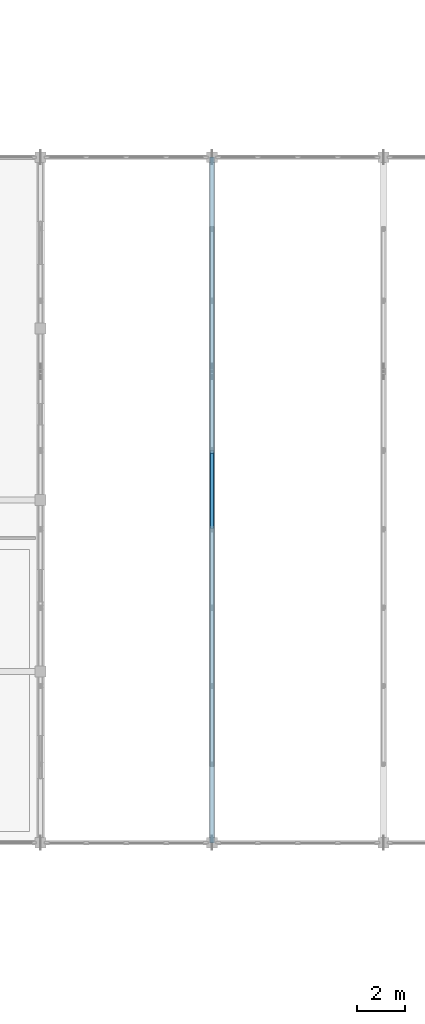
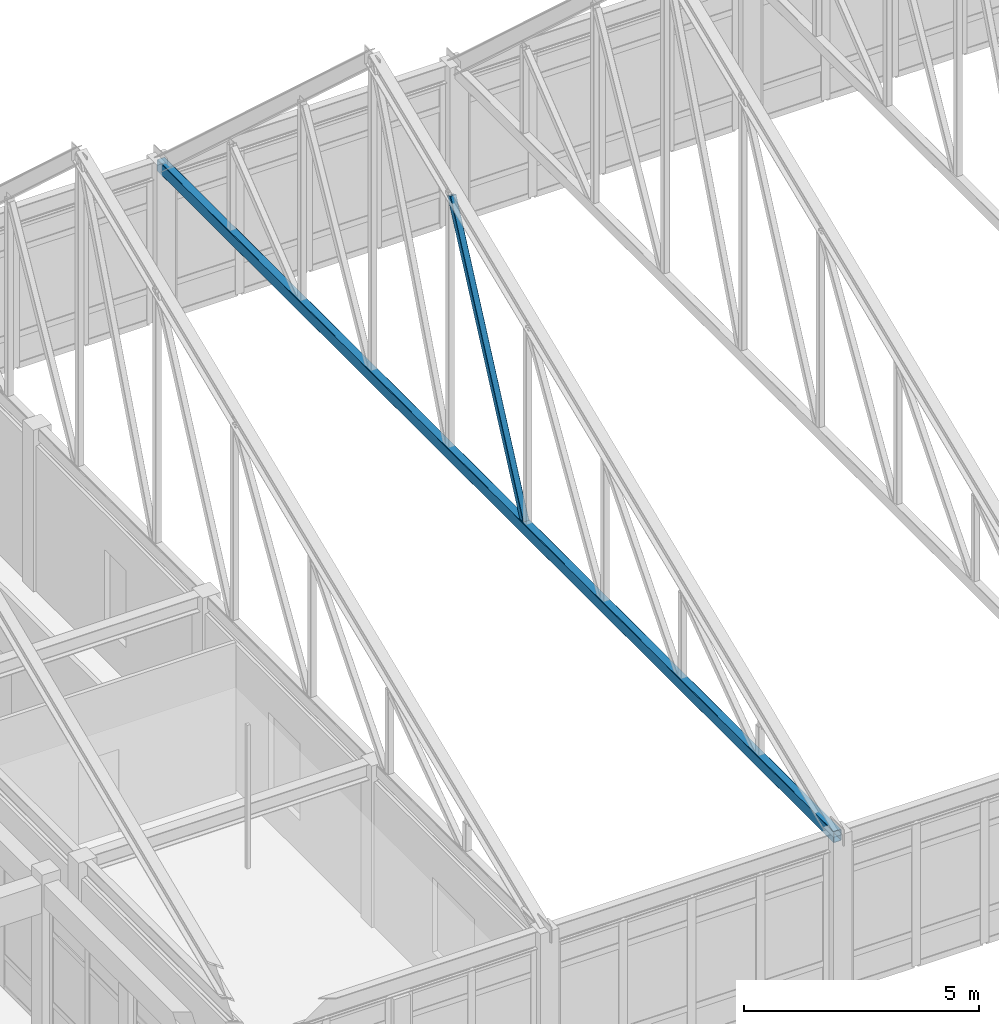
# One storey, part 22 of 136: 2 members.
"""IFC4 building model written with IfcOpenShell, lengths in metres."""

from ifc_helpers import new_model, si_unit, direction, frame, origin, origin_2d, place, context, subcontext, project, spatial, hollow_rectangle, extrude, material, material_profile, profile_set, type_object, element, save


model = new_model("IFC4")

# Units and contexts
model_context = context("Model", 3, precision=1e-05, world=origin(), true_north=direction((0.0, 1.0)))
body_context = subcontext(model_context, "Body", "Model", "MODEL_VIEW")
ifc_project = project(units=[si_unit("LENGTHUNIT", "METRE"), si_unit("AREAUNIT", "SQUARE_METRE"), si_unit("VOLUMEUNIT", "CUBIC_METRE"), si_unit("PLANEANGLEUNIT", "RADIAN"), si_unit("MASSUNIT", "GRAM", prefix="KILO")], contexts=[model_context])

# Site, building, storey
site_placement = place(None, origin())
site = spatial("IfcSite", under=ifc_project, at=site_placement, CompositionType="ELEMENT")
building_placement = place(site_placement, origin())
building = spatial("IfcBuilding", under=site, at=building_placement, Name="Koriwan Promenade Central Fire Station", CompositionType="ELEMENT")
storey_placement = place(building_placement, frame((0.0, 0.0, 5.39990234375)))
storey = spatial("IfcBuildingStorey", under=building, at=storey_placement, Name="L01", CompositionType="ELEMENT", Elevation=5.39990234375)

# Members
ifc_material = material(Name="Steel ASTM A500 Grade C", Category="steel")
ifc_material_profile_1 = material_profile(ifc_material, hollow_rectangle(XDim=0.199951171875, YDim=0.300048828125, WallThickness=0.011962890625, InnerFilletRadius=0.011962890625, OuterFilletRadius=0.02392578125, at=origin_2d()), Name="HSS300x200x12")
ifc_profile_set_1 = profile_set([ifc_material_profile_1], Name="Steel ASTM A500 Grade C")
member_type_1 = type_object("IfcMemberType", Name="Member_CHORD_HSS300x200x12", PredefinedType="CHORD", material=ifc_profile_set_1)
member_1_placement = place(storey_placement, frame((72.0, 43.199951171875, 4.02001953125), z_axis=(0.0, 1.0, 0.0), x_axis=(-1.0, 0.0, 0.0)))
element("IfcMember", 1, at=member_1_placement, inside=storey, type_object=member_type_1, Name="TR_V1_03 bottom tie chord", PredefinedType="CHORD", context=body_context, shape_type="SweptSolid", body=[
    extrude(hollow_rectangle(XDim=0.199951171875, YDim=0.300048828125, WallThickness=0.011962890625, InnerFilletRadius=0.011962890625, OuterFilletRadius=0.02392578125, at=origin_2d()), origin(), (0.0, 0.0, 1.0), 28.800048828125),
])
ifc_material_profile_2 = material_profile(ifc_material, hollow_rectangle(XDim=0.14990234375, YDim=0.14990234375, WallThickness=0.008056640625, InnerFilletRadius=0.008056640625, OuterFilletRadius=0.01611328125, at=origin_2d()), Name="HSS150x150x8")
ifc_profile_set_2 = profile_set([ifc_material_profile_2], Name="Steel ASTM A500 Grade C")
member_type_2 = type_object("IfcMemberType", Name="Member_STRUT_HSS150x150x8", PredefinedType="STRUT", material=ifc_profile_set_2)
member_2_placement = place(storey_placement, frame((72.0, 56.47998046875, 4.070068359375), z_axis=(0.0, 0.426803552064, 0.904344363583), x_axis=(-1.0, 0.0, 0.0)))
element("IfcMember", 2, at=member_2_placement, inside=storey, type_object=member_type_2, Name="TR_V1_03 web diagonal 5", PredefinedType="STRUT", context=body_context, shape_type="SweptSolid", body=[
    extrude(hollow_rectangle(XDim=0.14990234375, YDim=0.14990234375, WallThickness=0.008056640625, InnerFilletRadius=0.008056640625, OuterFilletRadius=0.01611328125, at=origin_2d()), origin(), (0.0, 0.0, 1.0), 7.357421875),
])

save(model, "model.ifc")
